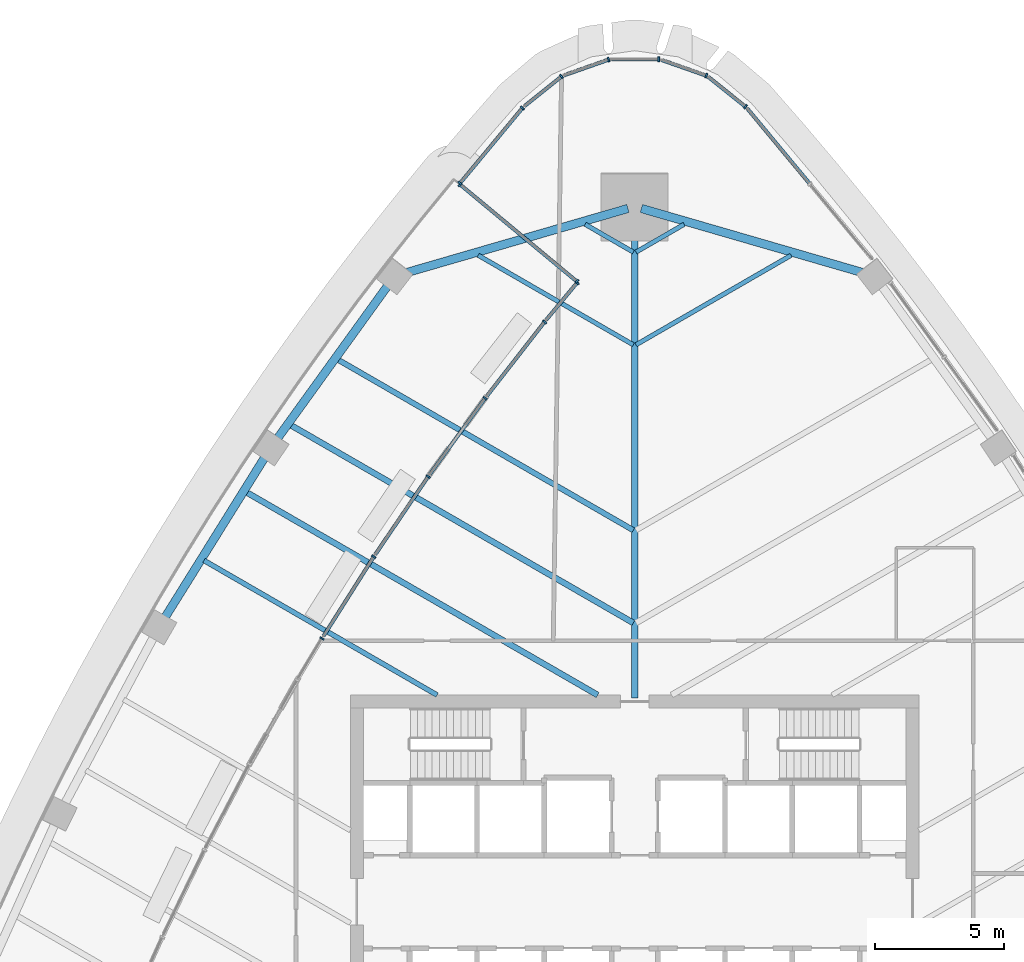
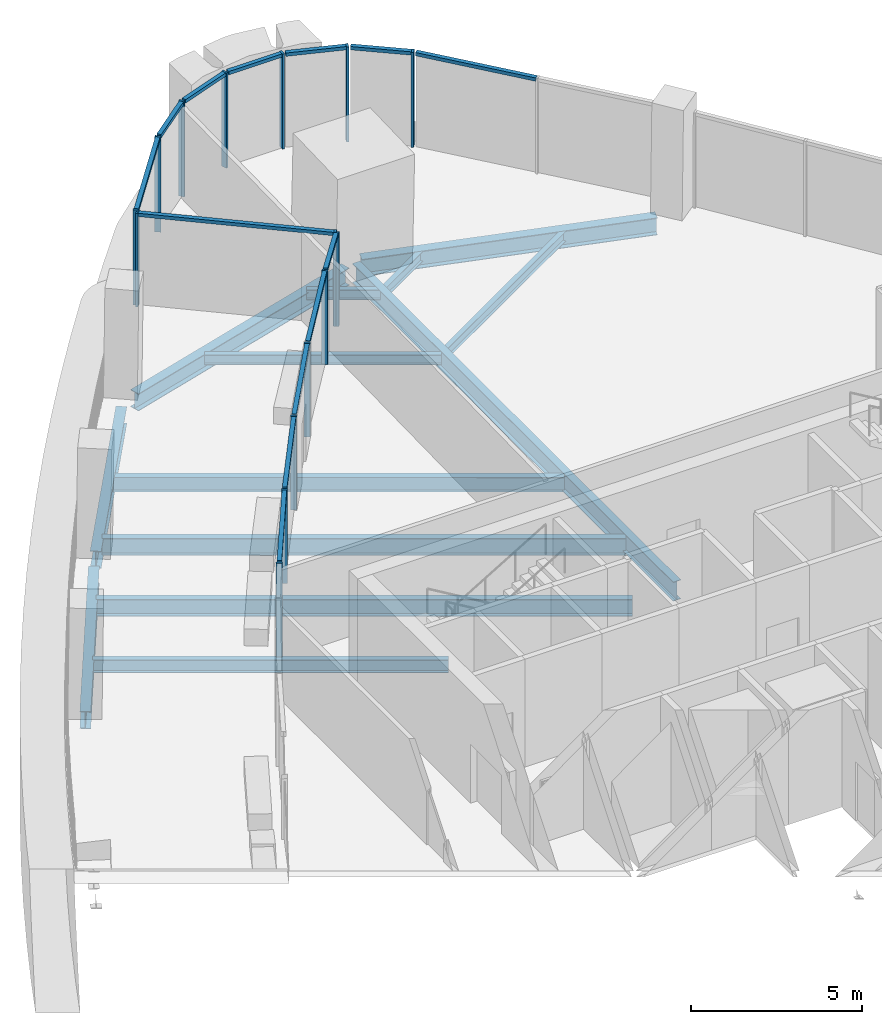
# One storey, part 5 of 18: 28 members, 13 beams, 14 elements without a shape of their own.
"""IFC4 building model written with IfcOpenShell, lengths in metres."""

import ifcopenshell
import ifcopenshell.guid

model = None  # the IFC model being written
_history = None  # IfcOwnerHistory: only IFC2X3 demands one
_inside = {}  # id of a spatial element -> (the spatial element, [elements in it])
_under = {}  # id of a project, library or spatial element -> (it, [spatial elements below it])
_declared = {}  # id of a project -> (the project, [libraries it declares])
_typed = {}  # id of a type object -> (the type object, [elements of that type])
_made_of = {}  # id of a material, layer set ... -> (it, [elements and type objects made of it])


def new_model(schema):
    """Start an empty IFC model of exactly this schema.

    Asked for "IFC4X3", IfcOpenShell would pick the latest addendum, in which some entities
    have other attributes; the version numbers below select the first issue.
    IFC2X3 requires an IfcOwnerHistory on every rooted entity: one is made here for all.
    """
    global model, _history
    if schema == "IFC4X3":
        model = ifcopenshell.file(schema_version=(4, 3, 0, 0))
    else:
        model = ifcopenshell.file(schema=schema)
    _inside.clear()
    _under.clear()
    _declared.clear()
    _typed.clear()
    _made_of.clear()
    _history = None
    if model.schema == "IFC2X3":
        org = make("IfcOrganization", Name="unknown")
        user = make(
            "IfcPersonAndOrganization",
            ThePerson=make("IfcPerson", FamilyName="unknown"),
            TheOrganization=org,
        )
        app = make(
            "IfcApplication",
            ApplicationDeveloper=org,
            Version="unknown",
            ApplicationFullName="unknown",
            ApplicationIdentifier="unknown",
        )
        _history = make(
            "IfcOwnerHistory",
            OwningUser=user,
            OwningApplication=app,
            ChangeAction="ADDED",
            CreationDate=0,
        )
    return model


def make(cls, **values):
    """One entity of the class cls with the attributes given. An attribute that is None is left unset."""
    return model.create_entity(
        cls, **{name: value for name, value in values.items() if value is not None}
    )


def rooted(cls, **values):
    """An entity with a GlobalId (a new one), such as an element, a storey or a relation."""
    return make(cls, GlobalId=ifcopenshell.guid.new(), OwnerHistory=_history, **values)


def si_unit(unit_type, name, prefix=None):
    """IfcSIUnit, for example si_unit("LENGTHUNIT", "METRE", prefix="MILLI")."""
    return make("IfcSIUnit", UnitType=unit_type, Prefix=prefix, Name=name)


def assignment(units):
    """IfcUnitAssignment: the units of a project."""
    return None if units is None else make("IfcUnitAssignment", Units=units)


def point(xyz):
    """IfcCartesianPoint."""
    return None if xyz is None else make("IfcCartesianPoint", Coordinates=xyz)


def direction(xyz):
    """IfcDirection."""
    return None if xyz is None else make("IfcDirection", DirectionRatios=xyz)


def frame(location, z_axis=None, x_axis=None):
    """IfcAxis2Placement3D, a coordinate frame: its origin and axes. An axis left out is left unset."""
    return make(
        "IfcAxis2Placement3D",
        Location=point(location),
        Axis=direction(z_axis),
        RefDirection=direction(x_axis),
    )


def frame_2d(location, x_axis=None):
    """IfcAxis2Placement2D, a coordinate frame in the plane: its origin and x axis."""
    return make(
        "IfcAxis2Placement2D", Location=point(location), RefDirection=direction(x_axis)
    )


def origin():
    """The frame at (0, 0, 0) with its axes left unset."""
    return frame((0.0, 0.0, 0.0))


def origin_2d():
    """The frame at (0, 0) in the plane with its x axis left unset."""
    return frame_2d((0.0, 0.0))


def place(relative_to, where):
    """IfcLocalPlacement: puts the frame where relative to a parent placement (None: the world)."""
    return make(
        "IfcLocalPlacement", PlacementRelTo=relative_to, RelativePlacement=where
    )


def context(
    kind, dimensions, precision=None, world=None, true_north=None, identifier=None
):
    """IfcGeometricRepresentationContext, for example the 3D "Model" context."""
    return make(
        "IfcGeometricRepresentationContext",
        ContextIdentifier=identifier,
        ContextType=kind,
        CoordinateSpaceDimension=dimensions,
        Precision=precision,
        WorldCoordinateSystem=world,
        TrueNorth=true_north,
    )


def subcontext(parent, identifier, kind, view, scale=None):
    """IfcGeometricRepresentationSubContext, for example "Body" below "Model"."""
    return make(
        "IfcGeometricRepresentationSubContext",
        ContextIdentifier=identifier,
        ContextType=kind,
        ParentContext=parent,
        TargetScale=scale,
        TargetView=view,
    )


def project(units=None, contexts=None):
    """IfcProject with its units and contexts."""
    return rooted(
        "IfcProject",
        Name="project",
        RepresentationContexts=contexts,
        UnitsInContext=assignment(units),
    )


def spatial(cls, under=None, at=None, **own):
    """A site, building, storey or space (cls), placed at a placement, below another one or the project."""
    s = rooted(cls, ObjectPlacement=at, **own)
    if under is not None:
        _under.setdefault(under.id(), (under, []))[1].append(s)
    return s


def profile(cls, at=None, kind="AREA", **sizes):
    """A parametric profile (cls). Its sizes go by their IFC names, for example OverallWidth=200.0."""
    return make(cls, ProfileType=kind, Position=at, **sizes)


def rectangle(**sizes):
    """IfcRectangleProfileDef."""
    return profile("IfcRectangleProfileDef", **sizes)


def i_section(**sizes):
    """IfcIShapeProfileDef."""
    return profile("IfcIShapeProfileDef", **sizes)


def extrude(swept, where, along, depth):
    """IfcExtrudedAreaSolid: the profile swept, set in the frame where, extruded along a direction by depth."""
    return make(
        "IfcExtrudedAreaSolid",
        SweptArea=swept,
        Position=where,
        ExtrudedDirection=direction(along),
        Depth=depth,
    )


def shape(context_of_items, identifier, shape_type, items):
    """IfcShapeRepresentation: the items that make up one representation, for example the "Body"."""
    return make(
        "IfcShapeRepresentation",
        ContextOfItems=context_of_items,
        RepresentationIdentifier=identifier,
        RepresentationType=shape_type,
        Items=items,
    )


def material(Name=None, Category=None):
    """IfcMaterial."""
    return make("IfcMaterial", Name=Name, Category=Category)


def layer(
    of_material, thickness, ventilated=None, Name=None, Category=None, Priority=None
):
    """IfcMaterialLayer: one layer of a wall or slab, of a material (None: an air gap)."""
    return make(
        "IfcMaterialLayer",
        Material=of_material,
        LayerThickness=thickness,
        IsVentilated=ventilated,
        Name=Name,
        Category=Category,
        Priority=Priority,
    )


def layer_set(layers, Name=None):
    """IfcMaterialLayerSet."""
    return make("IfcMaterialLayerSet", MaterialLayers=layers, LayerSetName=Name)


def material_profile(
    of_material, cross_section, Name=None, Category=None, Priority=None
):
    """IfcMaterialProfile: a cross section and its material."""
    return make(
        "IfcMaterialProfile",
        Name=Name,
        Material=of_material,
        Profile=cross_section,
        Priority=Priority,
        Category=Category,
    )


def profile_set(profiles, Name=None, composite=None):
    """IfcMaterialProfileSet."""
    return make(
        "IfcMaterialProfileSet",
        Name=Name,
        MaterialProfiles=profiles,
        CompositeProfile=composite,
    )


def made_of(thing, what):
    """Note that an element or type object is made of a material, layer set ...; save() writes the relation."""
    if what is not None:
        _made_of.setdefault(what.id(), (what, []))[1].append(thing)
    return thing


def type_object(cls, material=None, **own):
    """A type object (cls), such as IfcWallType, which elements share."""
    return made_of(rooted(cls, **own), material)


def element(
    cls,
    number,
    at=None,
    inside=None,
    cuts=None,
    type_object=None,
    material=None,
    context=None,
    identifier="Body",
    shape_type=None,
    held_by="IfcProductDefinitionShape",
    body=None,
    shapes=None,
    **own,
):
    """One element of the class cls, such as IfcWall. Its Tag is "e" and its number.

    at: its placement. inside: the storey or other place that contains it. cuts: it is an
    opening in that element (IfcRelVoidsElement). A single representation is given by context,
    identifier, shape_type and body (its items); several are given by shapes. held_by: the class
    of the entity that holds the representations. save() writes the other relations.
    """
    e = rooted(cls, Tag="e%d" % number, ObjectPlacement=at, **own)
    if body is not None:
        shapes = [shape(context, identifier, shape_type, body)]
    if shapes is not None:
        e.Representation = make(held_by, Representations=shapes)
    if inside is not None:
        _inside.setdefault(inside.id(), (inside, []))[1].append(e)
    if cuts is not None:
        rooted(
            "IfcRelVoidsElement", RelatingBuildingElement=cuts, RelatedOpeningElement=e
        )
    if type_object is not None:
        _typed.setdefault(type_object.id(), (type_object, []))[1].append(e)
    return made_of(e, material)


def aggregate(whole, parts):
    """IfcRelAggregates: a whole, such as a stair, and the parts it consists of."""
    return rooted("IfcRelAggregates", RelatingObject=whole, RelatedObjects=parts)


def save(model, path):
    """Write the relations noted so far, then the file.

    IfcRelAggregates (storeys below a building ...), IfcRelContainedInSpatialStructure (elements
    in a storey), IfcRelDefinesByType, IfcRelAssociatesMaterial and IfcRelDeclares: one each for
    every whole, place, type object, material and project.
    """
    for whole, parts in _under.values():
        aggregate(whole, parts)
    for where, things in _inside.values():
        rooted(
            "IfcRelContainedInSpatialStructure",
            RelatedElements=things,
            RelatingStructure=where,
        )
    for kind, things in _typed.values():
        rooted("IfcRelDefinesByType", RelatedObjects=things, RelatingType=kind)
    for what, things in _made_of.values():
        rooted("IfcRelAssociatesMaterial", RelatedObjects=things, RelatingMaterial=what)
    for by, libraries in _declared.values():
        rooted("IfcRelDeclares", RelatingContext=by, RelatedDefinitions=libraries)
    model.write(path)


model = new_model("IFC4")

# Units and contexts
model_context = context("Model", 3, precision=1e-05, world=origin(), true_north=direction((0.0, 1.0)))
body_context = subcontext(model_context, "Body", "Model", "MODEL_VIEW")
ifc_project = project(units=[si_unit("LENGTHUNIT", "METRE"), si_unit("AREAUNIT", "SQUARE_METRE"), si_unit("VOLUMEUNIT", "CUBIC_METRE"), si_unit("PLANEANGLEUNIT", "RADIAN"), si_unit("MASSUNIT", "GRAM", prefix="KILO")], contexts=[model_context])

# Site, building, storey
site_placement = place(None, origin())
site = spatial("IfcSite", under=ifc_project, at=site_placement, CompositionType="ELEMENT")
building_placement = place(site_placement, origin())
building = spatial("IfcBuilding", under=site, at=building_placement, Name="Sierra Prisma Convention Tower", CompositionType="ELEMENT")
storey_placement = place(building_placement, frame((0.0, 0.0, 189.800048828125)))
storey = spatial("IfcBuildingStorey", under=building, at=storey_placement, Name="L42", CompositionType="ELEMENT", Elevation=189.800048828125)

# Curtain wall, member
ifc_material_1 = material(Name="Aluminium and glass curtain wall", Category="aluminium")
ifc_layer_1 = layer(ifc_material_1, 0.179931640625)
ifc_layer_set_1 = layer_set([ifc_layer_1], Name="CW-1 Plain shaft curtain wall")
curtain_wall_type_1 = type_object("IfcCurtainWallType", Name="CW-1 Plain shaft curtain wall", PredefinedType="NOTDEFINED", material=ifc_layer_set_1)
curtain_wall_1_placement = place(storey_placement, origin())
curtain_wall_1 = element("IfcCurtainWall", 1, at=curtain_wall_1_placement, inside=storey, type_object=curtain_wall_type_1, Name="CW-1 N1 L42", PredefinedType="NOTDEFINED")
ifc_material_2 = material(Name="Aluminium 6063-T6 bronze anodised", Category="aluminium")
ifc_material_profile_1 = material_profile(ifc_material_2, rectangle(XDim=0.179931640625, YDim=0.070068359375, at=origin_2d()), Name="ALU MULLION 70x180")
ifc_profile_set_1 = profile_set([ifc_material_profile_1], Name="Aluminium 6063-T6 bronze anodised")
member_type_1 = type_object("IfcMemberType", Name="CW mullion bronze", PredefinedType="MULLION", material=ifc_profile_set_1)
member_1_placement = place(storey_placement, frame((4.29150390625, 30.764404296875, 0.0), z_axis=(0.0, 0.0, 1.0), x_axis=(-0.625118194075, -0.780530104119, 0.0)))
member_1 = element("IfcMember", 2, at=member_1_placement, type_object=member_type_1, Name="CW-1 mullion N1.1", PredefinedType="MULLION", context=body_context, shape_type="SweptSolid", body=[
    extrude(rectangle(XDim=0.179931640625, YDim=0.070068359375, at=origin_2d()), origin(), (0.0, 0.0, 1.0), 3.39990234375),
])

curtain_wall_2_placement = place(storey_placement, origin())
curtain_wall_2 = element("IfcCurtainWall", 3, at=curtain_wall_2_placement, inside=storey, type_object=curtain_wall_type_1, Name="CW-1 N2 L42", PredefinedType="NOTDEFINED")
member_2_placement = place(storey_placement, frame((2.77001953125, 31.968017578125, 0.0), z_axis=(0.0, 0.0, 1.0), x_axis=(-0.331262657027, -0.943538580059, 0.0)))
member_2 = element("IfcMember", 4, at=member_2_placement, type_object=member_type_1, Name="CW-1 mullion N2.1", PredefinedType="MULLION", context=body_context, shape_type="SweptSolid", body=[
    extrude(rectangle(XDim=0.179931640625, YDim=0.070068359375, at=origin_2d()), origin(), (0.0, 0.0, 1.0), 3.39990234375),
])

curtain_wall_3_placement = place(storey_placement, origin())
curtain_wall_3 = element("IfcCurtainWall", 5, at=curtain_wall_3_placement, inside=storey, type_object=curtain_wall_type_1, Name="CW-1 N3 L42", PredefinedType="NOTDEFINED")
member_3_placement = place(storey_placement, frame((0.93603515625, 32.599609375, 0.0), z_axis=(0.0, 0.0, 1.0), x_axis=(0.0, -1.0, 0.0)))
member_3 = element("IfcMember", 6, at=member_3_placement, type_object=member_type_1, Name="CW-1 mullion N3.1", PredefinedType="MULLION", context=body_context, shape_type="SweptSolid", body=[
    extrude(rectangle(XDim=0.179931640625, YDim=0.070068359375, at=origin_2d()), origin(), (0.0, 0.0, 1.0), 3.39990234375),
])

curtain_wall_4_placement = place(storey_placement, origin())
curtain_wall_4 = element("IfcCurtainWall", 7, at=curtain_wall_4_placement, inside=storey, type_object=curtain_wall_type_1, Name="CW-1 N4 L42", PredefinedType="NOTDEFINED")
member_4_placement = place(storey_placement, frame((-1.00390625, 32.588134765625, 0.0), z_axis=(0.0, 0.0, 1.0), x_axis=(0.331262657027, -0.943538580059, 0.0)))
member_4 = element("IfcMember", 8, at=member_4_placement, type_object=member_type_1, Name="CW-1 mullion N4.1", PredefinedType="MULLION", context=body_context, shape_type="SweptSolid", body=[
    extrude(rectangle(XDim=0.179931640625, YDim=0.070068359375, at=origin_2d()), origin(), (0.0, 0.0, 1.0), 3.39990234375),
])

curtain_wall_5_placement = place(storey_placement, origin())
curtain_wall_5 = element("IfcCurtainWall", 9, at=curtain_wall_5_placement, inside=storey, type_object=curtain_wall_type_1, Name="CW-1 N5 L42", PredefinedType="NOTDEFINED")
member_5_placement = place(storey_placement, frame((-2.830322265625, 31.9345703125, 0.0), z_axis=(0.0, 0.0, 1.0), x_axis=(0.625118194075, -0.780530104119, 0.0)))
member_5 = element("IfcMember", 10, at=member_5_placement, type_object=member_type_1, Name="CW-1 mullion N5.1", PredefinedType="MULLION", context=body_context, shape_type="SweptSolid", body=[
    extrude(rectangle(XDim=0.179931640625, YDim=0.070068359375, at=origin_2d()), origin(), (0.0, 0.0, 1.0), 3.39990234375),
])

# Curtain wall, members
curtain_wall_6_placement = place(storey_placement, origin())
curtain_wall_6 = element("IfcCurtainWall", 11, at=curtain_wall_6_placement, inside=storey, type_object=curtain_wall_type_1, Name="CW-1 NW1 L42", PredefinedType="NOTDEFINED")
member_6_placement = place(storey_placement, frame((-4.341064453125, 30.715576171875, 0.0), z_axis=(0.0, 0.0, 1.0), x_axis=(0.769432803661, -0.638727767246, 0.0)))
member_6 = element("IfcMember", 12, at=member_6_placement, type_object=member_type_1, Name="CW-1 mullion NW1.1", PredefinedType="MULLION", context=body_context, shape_type="SweptSolid", body=[
    extrude(rectangle(XDim=0.179931640625, YDim=0.070068359375, at=origin_2d()), origin(), (0.0, 0.0, 1.0), 3.39990234375),
])
member_7_placement = place(storey_placement, frame((-6.758544921875, 27.803466796875, 0.0), z_axis=(0.0, 0.0, 1.0), x_axis=(0.769432803661, -0.638727767246, 0.0)))
member_7 = element("IfcMember", 13, at=member_7_placement, type_object=member_type_1, Name="CW-1 mullion NW1.2", PredefinedType="MULLION", context=body_context, shape_type="SweptSolid", body=[
    extrude(rectangle(XDim=0.179931640625, YDim=0.070068359375, at=origin_2d()), origin(), (0.0, 0.0, 1.0), 3.39990234375),
])

# Curtain wall, member
ifc_material_3 = material(Name="Aluminium and glass curtain wall", Category="aluminium")
ifc_layer_2 = layer(ifc_material_3, 0.179931640625)
ifc_layer_set_2 = layer_set([ifc_layer_2], Name="CW-6 Terrace recess curtain wall")
curtain_wall_type_2 = type_object("IfcCurtainWallType", Name="CW-6 Terrace recess curtain wall", PredefinedType="NOTDEFINED", material=ifc_layer_set_2)
curtain_wall_7_placement = place(storey_placement, origin())
curtain_wall_7 = element("IfcCurtainWall", 14, at=curtain_wall_7_placement, inside=storey, type_object=curtain_wall_type_2, Name="CW-6 R1 L42", PredefinedType="NOTDEFINED")
member_8_placement = place(storey_placement, frame((-2.2294921875, 23.95263671875, 0.0), z_axis=(0.0, 0.0, 1.0), x_axis=(0.76910227469, -0.639125723991, 0.0)))
member_8 = element("IfcMember", 15, at=member_8_placement, type_object=member_type_1, Name="CW-6 mullion R1.1", PredefinedType="MULLION", context=body_context, shape_type="SweptSolid", body=[
    extrude(rectangle(XDim=0.179931640625, YDim=0.070068359375, at=origin_2d()), origin(), (0.0, 0.0, 1.0), 3.33984375),
])

curtain_wall_8_placement = place(storey_placement, origin())
curtain_wall_8 = element("IfcCurtainWall", 16, at=curtain_wall_8_placement, inside=storey, type_object=curtain_wall_type_2, Name="CW-6 R2 L42", PredefinedType="NOTDEFINED")
member_9_placement = place(storey_placement, frame((-3.485595703125, 22.439208984375, 0.0), z_axis=(0.0, 0.0, 1.0), x_axis=(0.788947193314, -0.61446100459, 0.0)))
member_9 = element("IfcMember", 17, at=member_9_placement, type_object=member_type_1, Name="CW-6 mullion R2.1", PredefinedType="MULLION", context=body_context, shape_type="SweptSolid", body=[
    extrude(rectangle(XDim=0.179931640625, YDim=0.070068359375, at=origin_2d()), origin(), (0.0, 0.0, 1.0), 3.33984375),
])

curtain_wall_9_placement = place(storey_placement, origin())
curtain_wall_9 = element("IfcCurtainWall", 18, at=curtain_wall_9_placement, inside=storey, type_object=curtain_wall_type_2, Name="CW-6 R3 L42", PredefinedType="NOTDEFINED")
member_10_placement = place(storey_placement, frame((-5.78662109375, 19.48291015625, 0.0), z_axis=(0.0, 0.0, 1.0), x_axis=(0.80849410253, -0.588504278807, 0.0)))
member_10 = element("IfcMember", 19, at=member_10_placement, type_object=member_type_1, Name="CW-6 mullion R3.1", PredefinedType="MULLION", context=body_context, shape_type="SweptSolid", body=[
    extrude(rectangle(XDim=0.179931640625, YDim=0.070068359375, at=origin_2d()), origin(), (0.0, 0.0, 1.0), 3.33984375),
])

curtain_wall_10_placement = place(storey_placement, origin())
curtain_wall_10 = element("IfcCurtainWall", 20, at=curtain_wall_10_placement, inside=storey, type_object=curtain_wall_type_2, Name="CW-6 R4 L42", PredefinedType="NOTDEFINED")
member_11_placement = place(storey_placement, frame((-7.990478515625, 16.453369140625, 0.0), z_axis=(0.0, 0.0, 1.0), x_axis=(0.827187376772, -0.561926190624, 0.0)))
member_11 = element("IfcMember", 21, at=member_11_placement, type_object=member_type_1, Name="CW-6 mullion R4.1", PredefinedType="MULLION", context=body_context, shape_type="SweptSolid", body=[
    extrude(rectangle(XDim=0.179931640625, YDim=0.070068359375, at=origin_2d()), origin(), (0.0, 0.0, 1.0), 3.33984375),
])

curtain_wall_11_placement = place(storey_placement, origin())
curtain_wall_11 = element("IfcCurtainWall", 22, at=curtain_wall_11_placement, inside=storey, type_object=curtain_wall_type_2, Name="CW-6 R5 L42", PredefinedType="NOTDEFINED")
member_12_placement = place(storey_placement, frame((-10.094482421875, 13.35400390625, 0.0), z_axis=(0.0, 0.0, 1.0), x_axis=(0.845007279058, -0.534754802072, 0.0)))
member_12 = element("IfcMember", 23, at=member_12_placement, type_object=member_type_1, Name="CW-6 mullion R5.1", PredefinedType="MULLION", context=body_context, shape_type="SweptSolid", body=[
    extrude(rectangle(XDim=0.179931640625, YDim=0.070068359375, at=origin_2d()), origin(), (0.0, 0.0, 1.0), 3.33984375),
])

curtain_wall_12_placement = place(storey_placement, origin())
curtain_wall_12 = element("IfcCurtainWall", 24, at=curtain_wall_12_placement, inside=storey, type_object=curtain_wall_type_2, Name="CW-6 R6 L42", PredefinedType="NOTDEFINED")
member_13_placement = place(storey_placement, frame((-12.09716796875, 10.18798828125, 0.0), z_axis=(0.0, 0.0, 1.0), x_axis=(0.857787701889, -0.514004142481, 0.0)))
member_13 = element("IfcMember", 25, at=member_13_placement, type_object=member_type_1, Name="CW-6 mullion R6.1", PredefinedType="MULLION", context=body_context, shape_type="SweptSolid", body=[
    extrude(rectangle(XDim=0.179931640625, YDim=0.070068359375, at=origin_2d()), origin(), (0.0, 0.0, 1.0), 3.33984375),
])
aggregate(curtain_wall_12, [member_13])

# Curtain wall, members
curtain_wall_13_placement = place(storey_placement, origin())
curtain_wall_13 = element("IfcCurtainWall", 26, at=curtain_wall_13_placement, inside=storey, type_object=curtain_wall_type_2, Name="CW-6 RT1 L42", PredefinedType="NOTDEFINED")
member_14_placement = place(storey_placement, frame((-6.75390625, 27.754150390625, 0.0), z_axis=(0.0, 0.0, 1.0), x_axis=(0.638727767246, 0.769432803661, 0.0)))
member_14 = element("IfcMember", 27, at=member_14_placement, type_object=member_type_1, Name="CW-6 mullion RT1.1", PredefinedType="MULLION", context=body_context, shape_type="SweptSolid", body=[
    extrude(rectangle(XDim=0.179931640625, YDim=0.070068359375, at=origin_2d()), origin(), (0.0, 0.0, 1.0), 3.33984375),
])
member_15_placement = place(storey_placement, frame((-2.23388671875, 24.001953125, 0.0), z_axis=(0.0, 0.0, 1.0), x_axis=(0.638727767246, 0.769432803661, 0.0)))
member_15 = element("IfcMember", 28, at=member_15_placement, type_object=member_type_1, Name="CW-6 mullion RT1.2", PredefinedType="MULLION", context=body_context, shape_type="SweptSolid", body=[
    extrude(rectangle(XDim=0.179931640625, YDim=0.070068359375, at=origin_2d()), origin(), (0.0, 0.0, 1.0), 3.33984375),
])

# Curtain wall, member
curtain_wall_14_placement = place(storey_placement, origin())
curtain_wall_14 = element("IfcCurtainWall", 29, at=curtain_wall_14_placement, inside=storey, type_object=curtain_wall_type_1, Name="CW-1 NE6 L42", PredefinedType="NOTDEFINED")
ifc_material_4 = material(Name="Aluminium 6063-T6 bronze anodised", Category="aluminium")
ifc_material_profile_2 = material_profile(ifc_material_4, rectangle(XDim=0.139892578125, YDim=0.1201171875, at=origin_2d()), Name="ALU TRANSOM 120x140")
ifc_profile_set_2 = profile_set([ifc_material_profile_2], Name="Aluminium 6063-T6 bronze anodised")
member_type_2 = type_object("IfcMemberType", Name="CW transom bronze", PredefinedType="USERDEFINED", material=ifc_profile_set_2)
member_16_placement = place(storey_placement, frame((6.758544921875, 27.803466796875, 3.33984375), z_axis=(-0.638710286009, 0.76944731499, 0.0), x_axis=(-0.76944731499, -0.638710286009, 0.0)))
member_16 = element("IfcMember", 30, at=member_16_placement, type_object=member_type_2, Name="CW-1 transom NE6.2", ObjectType="TRANSOM", PredefinedType="USERDEFINED", context=body_context, shape_type="SweptSolid", body=[
    extrude(rectangle(XDim=0.139892578125, YDim=0.1201171875, at=origin_2d()), origin(), (0.0, 0.0, 1.0), 3.749755859375),
])
aggregate(curtain_wall_14, [member_16])

# Member
member_17_placement = place(storey_placement, frame((4.26416015625, 30.786376953125, 3.33984375), z_axis=(-0.780591131253, 0.625041987237, 0.0), x_axis=(-0.625041987237, -0.780591131253, 0.0)))
member_17 = element("IfcMember", 31, at=member_17_placement, type_object=member_type_2, Name="CW-1 transom N1.1", ObjectType="TRANSOM", PredefinedType="USERDEFINED", context=body_context, shape_type="SweptSolid", body=[
    extrude(rectangle(XDim=0.139892578125, YDim=0.1201171875, at=origin_2d()), origin(), (0.0, 0.0, 1.0), 1.8017578125),
])

aggregate(curtain_wall_1, [member_1, member_17])

member_18_placement = place(storey_placement, frame((2.737060546875, 31.9794921875, 3.33984375), z_axis=(-0.943536843797, 0.331267602396, 0.0), x_axis=(-0.331267602396, -0.943536843797, 0.0)))
member_18 = element("IfcMember", 32, at=member_18_placement, type_object=member_type_2, Name="CW-1 transom N2.1", ObjectType="TRANSOM", PredefinedType="USERDEFINED", context=body_context, shape_type="SweptSolid", body=[
    extrude(rectangle(XDim=0.139892578125, YDim=0.1201171875, at=origin_2d()), origin(), (0.0, 0.0, 1.0), 1.802001953125),
])

aggregate(curtain_wall_2, [member_2, member_18])

member_19_placement = place(storey_placement, frame((0.90087890625, 32.599609375, 3.33984375), z_axis=(-1.0, 0.0, 0.0), x_axis=(0.0, -1.0, 0.0)))
member_19 = element("IfcMember", 33, at=member_19_placement, type_object=member_type_2, Name="CW-1 transom N3.1", ObjectType="TRANSOM", PredefinedType="USERDEFINED", context=body_context, shape_type="SweptSolid", body=[
    extrude(rectangle(XDim=0.139892578125, YDim=0.1201171875, at=origin_2d()), origin(), (0.0, 0.0, 1.0), 1.8017578125),
])

aggregate(curtain_wall_3, [member_3, member_19])

member_20_placement = place(storey_placement, frame((-1.036865234375, 32.576416015625, 3.33984375), z_axis=(-0.943536843797, -0.331267602396, 0.0), x_axis=(0.331267602396, -0.943536843797, 0.0)))
member_20 = element("IfcMember", 34, at=member_20_placement, type_object=member_type_2, Name="CW-1 transom N4.1", ObjectType="TRANSOM", PredefinedType="USERDEFINED", context=body_context, shape_type="SweptSolid", body=[
    extrude(rectangle(XDim=0.139892578125, YDim=0.1201171875, at=origin_2d()), origin(), (0.0, 0.0, 1.0), 1.802001953125),
])

aggregate(curtain_wall_4, [member_4, member_20])

member_21_placement = place(storey_placement, frame((-2.857666015625, 31.91259765625, 3.33984375), z_axis=(-0.780591131253, -0.625041987237, 0.0), x_axis=(0.625041987237, -0.780591131253, 0.0)))
member_21 = element("IfcMember", 35, at=member_21_placement, type_object=member_type_2, Name="CW-1 transom N5.1", ObjectType="TRANSOM", PredefinedType="USERDEFINED", context=body_context, shape_type="SweptSolid", body=[
    extrude(rectangle(XDim=0.139892578125, YDim=0.1201171875, at=origin_2d()), origin(), (0.0, 0.0, 1.0), 1.8017578125),
])

aggregate(curtain_wall_5, [member_5, member_21])

member_22_placement = place(storey_placement, frame((-4.363525390625, 30.688720703125, 3.33984375), z_axis=(-0.63872234247, -0.769437306887, 0.0), x_axis=(0.769437306887, -0.63872234247, 0.0)))
member_22 = element("IfcMember", 36, at=member_22_placement, type_object=member_type_2, Name="CW-1 transom NW1.1", ObjectType="TRANSOM", PredefinedType="USERDEFINED", context=body_context, shape_type="SweptSolid", body=[
    extrude(rectangle(XDim=0.139892578125, YDim=0.1201171875, at=origin_2d()), origin(), (0.0, 0.0, 1.0), 3.71484375),
])

aggregate(curtain_wall_6, [member_6, member_7, member_22])

member_23_placement = place(storey_placement, frame((-2.251708984375, 23.92578125, 3.280029296875), z_axis=(-0.639106045057, -0.769118627503, 0.0), x_axis=(0.769118627503, -0.639106045057, 0.0)))
member_23 = element("IfcMember", 37, at=member_23_placement, type_object=member_type_2, Name="CW-6 transom R1.1", ObjectType="TRANSOM", PredefinedType="USERDEFINED", context=body_context, shape_type="SweptSolid", body=[
    extrude(rectangle(XDim=0.139892578125, YDim=0.1201171875, at=origin_2d()), origin(), (0.0, 0.0, 1.0), 1.8271484375),
])

aggregate(curtain_wall_7, [member_8, member_23])

member_24_placement = place(storey_placement, frame((-3.507080078125, 22.41162109375, 3.280029296875), z_axis=(-0.614479437205, -0.788932836971, 0.0), x_axis=(0.788932836971, -0.614479437205, 0.0)))
member_24 = element("IfcMember", 38, at=member_24_placement, type_object=member_type_2, Name="CW-6 transom R2.1", ObjectType="TRANSOM", PredefinedType="USERDEFINED", context=body_context, shape_type="SweptSolid", body=[
    extrude(rectangle(XDim=0.139892578125, YDim=0.1201171875, at=origin_2d()), origin(), (0.0, 0.0, 1.0), 3.6064453125),
])

aggregate(curtain_wall_8, [member_9, member_24])

member_25_placement = place(storey_placement, frame((-5.807373046875, 19.45458984375, 3.280029296875), z_axis=(-0.58847760158, -0.808513520257, 0.0), x_axis=(0.808513520257, -0.58847760158, 0.0)))
member_25 = element("IfcMember", 39, at=member_25_placement, type_object=member_type_2, Name="CW-6 transom R3.1", ObjectType="TRANSOM", PredefinedType="USERDEFINED", context=body_context, shape_type="SweptSolid", body=[
    extrude(rectangle(XDim=0.139892578125, YDim=0.1201171875, at=origin_2d()), origin(), (0.0, 0.0, 1.0), 3.60595703125),
])

aggregate(curtain_wall_9, [member_10, member_25])

member_26_placement = place(storey_placement, frame((-8.010009765625, 16.424560546875, 3.280029296875), z_axis=(-0.561897020466, -0.827207191937, 0.0), x_axis=(0.827207191937, -0.561897020466, 0.0)))
member_26 = element("IfcMember", 40, at=member_26_placement, type_object=member_type_2, Name="CW-6 transom R4.1", ObjectType="TRANSOM", PredefinedType="USERDEFINED", context=body_context, shape_type="SweptSolid", body=[
    extrude(rectangle(XDim=0.139892578125, YDim=0.1201171875, at=origin_2d()), origin(), (0.0, 0.0, 1.0), 3.606201171875),
])

aggregate(curtain_wall_10, [member_11, member_26])

member_27_placement = place(storey_placement, frame((-10.11328125, 13.324462890625, 3.280029296875), z_axis=(-0.534749256425, -0.845010788542, 0.0), x_axis=(0.845010788542, -0.534749256425, 0.0)))
member_27 = element("IfcMember", 41, at=member_27_placement, type_object=member_type_2, Name="CW-6 transom R5.1", ObjectType="TRANSOM", PredefinedType="USERDEFINED", context=body_context, shape_type="SweptSolid", body=[
    extrude(rectangle(XDim=0.139892578125, YDim=0.1201171875, at=origin_2d()), origin(), (0.0, 0.0, 1.0), 3.606201171875),
])

aggregate(curtain_wall_11, [member_12, member_27])

member_28_placement = place(storey_placement, frame((-6.72705078125, 27.73193359375, 3.280029296875), z_axis=(0.769423145126, -0.63873940206, 0.0), x_axis=(0.63873940206, 0.769423145126, 0.0)))
member_28 = element("IfcMember", 42, at=member_28_placement, type_object=member_type_2, Name="CW-6 transom RT1.1", ObjectType="TRANSOM", PredefinedType="USERDEFINED", context=body_context, shape_type="SweptSolid", body=[
    extrude(rectangle(XDim=0.139892578125, YDim=0.1201171875, at=origin_2d()), origin(), (0.0, 0.0, 1.0), 5.804443359375),
])

aggregate(curtain_wall_13, [member_14, member_15, member_28])

# Beams
ifc_material_5 = material(Name="Steel ASTM A992 Gr 50", Category="steel")
ifc_material_profile_3 = material_profile(ifc_material_5, i_section(OverallWidth=0.172119140625, OverallDepth=0.35791015625, WebThickness=0.0078125, FlangeThickness=0.01318359375, at=origin_2d()), Name="W360x57")
ifc_profile_set_3 = profile_set([ifc_material_profile_3], Name="Steel ASTM A992 Gr 50")
beam_type_1 = type_object("IfcBeamType", Name="Floor joist W360x57", PredefinedType="JOIST", material=ifc_profile_set_3)
beam_1_placement = place(storey_placement, frame((6.052734375, 25.01708984375, -0.3291015625), z_axis=(-0.866034235974, -0.499984701887, 0.0), x_axis=(0.499984701887, -0.866034235974, 0.0)))
element("IfcBeam", 43, at=beam_1_placement, inside=storey, type_object=beam_type_1, Name="Floor joist L42 NE14", PredefinedType="JOIST", context=body_context, shape_type="SweptSolid", body=[
    extrude(i_section(OverallWidth=0.172119140625, OverallDepth=0.35791015625, WebThickness=0.0078125, FlangeThickness=0.01318359375, at=origin_2d()), origin(), (0.0, 0.0, 1.0), 6.930419921875),
])
for number, where, z_axis, x_axis, name in (
    (44, (1.916259765625, 26.216064453125, -0.3291015625), (-0.86600250433, -0.500039660922, 0.0), (0.500039660922, -0.86600250433, 0.0), "Floor joist L42 NE15"),
    (45, (-1.916259765625, 26.216064453125, -0.3291015625), (0.86600250433, -0.500039660922, 0.0), (0.500039660922, 0.86600250433, 0.0), "Floor joist L42 NW01"),
):
    element("IfcBeam", number, at=place(storey_placement, frame(where, z_axis=z_axis, x_axis=x_axis)), inside=storey, type_object=beam_type_1, Name=name, PredefinedType="JOIST", context=body_context, shape_type="SweptSolid", body=[
        extrude(i_section(OverallWidth=0.172119140625, OverallDepth=0.35791015625, WebThickness=0.0078125, FlangeThickness=0.01318359375, at=origin_2d()), origin(), (0.0, 0.0, 1.0), 2.154052734375),
    ])
beam_2_placement = place(storey_placement, frame((-6.052734375, 25.01708984375, -0.47900390625), z_axis=(0.866034235974, -0.499984701887, 0.0), x_axis=(0.499984701887, 0.866034235974, 0.0)))
element("IfcBeam", 46, at=beam_2_placement, inside=storey, type_object=beam_type_1, Name="Floor joist L42 NW02", PredefinedType="JOIST", context=body_context, shape_type="SweptSolid", body=[
    extrude(i_section(OverallWidth=0.172119140625, OverallDepth=0.35791015625, WebThickness=0.0078125, FlangeThickness=0.01318359375, at=origin_2d()), origin(), (0.0, 0.0, 1.0), 6.930419921875),
])
ifc_material_6 = material(Name="Steel ASTM A992 Gr 50", Category="steel")
ifc_material_profile_4 = material_profile(ifc_material_6, i_section(OverallWidth=0.18994140625, OverallDepth=0.45703125, WebThickness=0.009033203125, FlangeThickness=0.014404296875, at=origin_2d()), Name="W460x74")
ifc_profile_set_4 = profile_set([ifc_material_profile_4], Name="Steel ASTM A992 Gr 50")
beam_type_2 = type_object("IfcBeamType", Name="Floor joist W460x74", PredefinedType="JOIST", material=ifc_profile_set_4)
beam_3_placement = place(storey_placement, frame((-16.664794921875, 13.20849609375, -0.528564453125), z_axis=(0.866027911904, -0.499995655785, 0.0), x_axis=(0.499995655785, 0.866027911904, 0.0)))
element("IfcBeam", 47, at=beam_3_placement, inside=storey, type_object=beam_type_2, Name="Floor joist L42 NW07", PredefinedType="JOIST", context=body_context, shape_type="SweptSolid", body=[
    extrude(i_section(OverallWidth=0.18994140625, OverallDepth=0.45703125, WebThickness=0.009033203125, FlangeThickness=0.014404296875, at=origin_2d()), origin(), (0.0, 0.0, 1.0), 10.4169921875),
])
ifc_material_7 = material(Name="Steel ASTM A992 Gr 50", Category="steel")
ifc_material_profile_5 = material_profile(ifc_material_7, i_section(OverallWidth=0.208984375, OverallDepth=0.532958984375, WebThickness=0.01025390625, FlangeThickness=0.015625, at=origin_2d()), Name="W530x92")
ifc_profile_set_5 = profile_set([ifc_material_profile_5], Name="Steel ASTM A992 Gr 50")
beam_type_3 = type_object("IfcBeamType", Name="Floor joist W530x92", PredefinedType="JOIST", material=ifc_profile_set_5)
beam_4_placement = place(storey_placement, frame((-11.48095703125, 20.97705078125, -0.566650390625), z_axis=(0.866020477003, -0.500008533339, 0.0), x_axis=(0.500008533339, 0.866020477003, 0.0)))
element("IfcBeam", 48, at=beam_4_placement, inside=storey, type_object=beam_type_3, Name="Floor joist L42 NW04", PredefinedType="JOIST", context=body_context, shape_type="SweptSolid", body=[
    extrude(i_section(OverallWidth=0.208984375, OverallDepth=0.532958984375, WebThickness=0.01025390625, FlangeThickness=0.015625, at=origin_2d()), origin(), (0.0, 0.0, 1.0), 13.198486328125),
])
ifc_material_8 = material(Name="Steel ASTM A992 Gr 50", Category="steel")
ifc_material_profile_6 = material_profile(ifc_material_8, i_section(OverallWidth=0.22802734375, OverallDepth=0.60302734375, WebThickness=0.010498046875, FlangeThickness=0.014892578125, at=origin_2d()), Name="W610x101")
ifc_profile_set_6 = profile_set([ifc_material_profile_6], Name="Steel ASTM A992 Gr 50")
beam_type_4 = type_object("IfcBeamType", Name="Floor joist W610x101", PredefinedType="JOIST", material=ifc_profile_set_6)
beam_5_placement = place(storey_placement, frame((-13.308349609375, 18.44482421875, -0.6015625), z_axis=(0.866024379447, -0.500001774201, 0.0), x_axis=(0.500001774201, 0.866024379447, 0.0)))
element("IfcBeam", 49, at=beam_5_placement, inside=storey, type_object=beam_type_4, Name="Floor joist L42 NW05", PredefinedType="JOIST", context=body_context, shape_type="SweptSolid", body=[
    extrude(i_section(OverallWidth=0.22802734375, OverallDepth=0.60302734375, WebThickness=0.010498046875, FlangeThickness=0.014892578125, at=origin_2d()), origin(), (0.0, 0.0, 1.0), 15.30859375),
])
beam_6_placement = place(storey_placement, frame((-15.0205078125, 15.84619140625, -0.6015625), z_axis=(0.86602676955, -0.499997634417, 0.0), x_axis=(0.499997634417, 0.86602676955, 0.0)))
element("IfcBeam", 50, at=beam_6_placement, inside=storey, type_object=beam_type_4, Name="Floor joist L42 NW06", PredefinedType="JOIST", context=body_context, shape_type="SweptSolid", body=[
    extrude(i_section(OverallWidth=0.22802734375, OverallDepth=0.60302734375, WebThickness=0.010498046875, FlangeThickness=0.014892578125, at=origin_2d()), origin(), (0.0, 0.0, 1.0), 15.6923828125),
])
ifc_material_9 = material(Name="Steel ASTM A992 Gr 50", Category="steel")
ifc_material_profile_7 = material_profile(ifc_material_9, i_section(OverallWidth=0.25390625, OverallDepth=0.68408203125, WebThickness=0.012451171875, FlangeThickness=0.018798828125, at=origin_2d()), Name="W690x140")
ifc_profile_set_7 = profile_set([ifc_material_profile_7], Name="Steel ASTM A992 Gr 50")
beam_type_5 = type_object("IfcBeamType", Name="Radial girder W690x140", PredefinedType="BEAM", material=ifc_profile_set_7)
beam_7_placement = place(storey_placement, frame((0.0, 26.643310546875, -0.491943359375), z_axis=(0.0, -1.0, 0.0), x_axis=(1.0, 0.0, 0.0)))
element("IfcBeam", 51, at=beam_7_placement, inside=storey, type_object=beam_type_5, Name="Radial girder L42 N", PredefinedType="BEAM", context=body_context, shape_type="SweptSolid", body=[
    extrude(i_section(OverallWidth=0.25390625, OverallDepth=0.68408203125, WebThickness=0.012451171875, FlangeThickness=0.018798828125, at=origin_2d()), origin(), (0.0, 0.0, 1.0), 18.763427734375),
])
ifc_material_10 = material(Name="Steel ASTM A992 Gr 50", Category="steel")
ifc_material_profile_8 = material_profile(ifc_material_10, i_section(OverallWidth=0.324951171875, OverallDepth=0.615966796875, WebThickness=0.013916015625, FlangeThickness=0.021484375, at=origin_2d()), Name="W610x174")
ifc_profile_set_8 = profile_set([ifc_material_profile_8], Name="Steel ASTM A992 Gr 50")
beam_type_6 = type_object("IfcBeamType", Name="Spandrel beam W610x174", PredefinedType="BEAM", material=ifc_profile_set_8)
for number, where, z_axis, x_axis, name in (
    (52, (8.806884765625, 24.350341796875, -0.4580078125), (-0.960460837338, 0.278415121609, 0.0), (-0.278415121609, -0.960460837338, 0.0), "Spandrel L42-12"),
    (53, (-0.260009765625, 26.827880859375, -0.608154296875), (-0.960460837338, -0.278415121609, 0.0), (0.278415121609, -0.960460837338, 0.0), "Spandrel L42-13"),
):
    element("IfcBeam", number, at=place(storey_placement, frame(where, z_axis=z_axis, x_axis=x_axis)), inside=storey, type_object=beam_type_6, Name=name, PredefinedType="BEAM", context=body_context, shape_type="SweptSolid", body=[
        extrude(i_section(OverallWidth=0.324951171875, OverallDepth=0.615966796875, WebThickness=0.013916015625, FlangeThickness=0.021484375, at=origin_2d()), origin(), (0.0, 0.0, 1.0), 8.898681640625),
    ])
beam_8_placement = place(storey_placement, frame((-9.50830078125, 23.903076171875, -0.608154296875), z_axis=(-0.585221616954, -0.810873392737, 0.0), x_axis=(0.810873392737, -0.585221616954, 0.0)))
element("IfcBeam", 54, at=beam_8_placement, inside=storey, type_object=beam_type_6, Name="Spandrel L42-14", PredefinedType="BEAM", context=body_context, shape_type="SweptSolid", body=[
    extrude(i_section(OverallWidth=0.324951171875, OverallDepth=0.615966796875, WebThickness=0.013916015625, FlangeThickness=0.021484375, at=origin_2d()), origin(), (0.0, 0.0, 1.0), 7.42529296875),
])
beam_9_placement = place(storey_placement, frame((-14.27734375, 17.2509765625, -0.608154296875), z_axis=(-0.529023301932, -0.848607297879, 0.0), x_axis=(0.848607297879, -0.529023301932, 0.0)))
element("IfcBeam", 55, at=beam_9_placement, inside=storey, type_object=beam_type_6, Name="Spandrel L42-15", PredefinedType="BEAM", context=body_context, shape_type="SweptSolid", body=[
    extrude(i_section(OverallWidth=0.324951171875, OverallDepth=0.615966796875, WebThickness=0.013916015625, FlangeThickness=0.021484375, at=origin_2d()), origin(), (0.0, 0.0, 1.0), 7.425537109375),
])

save(model, "model.ifc")
